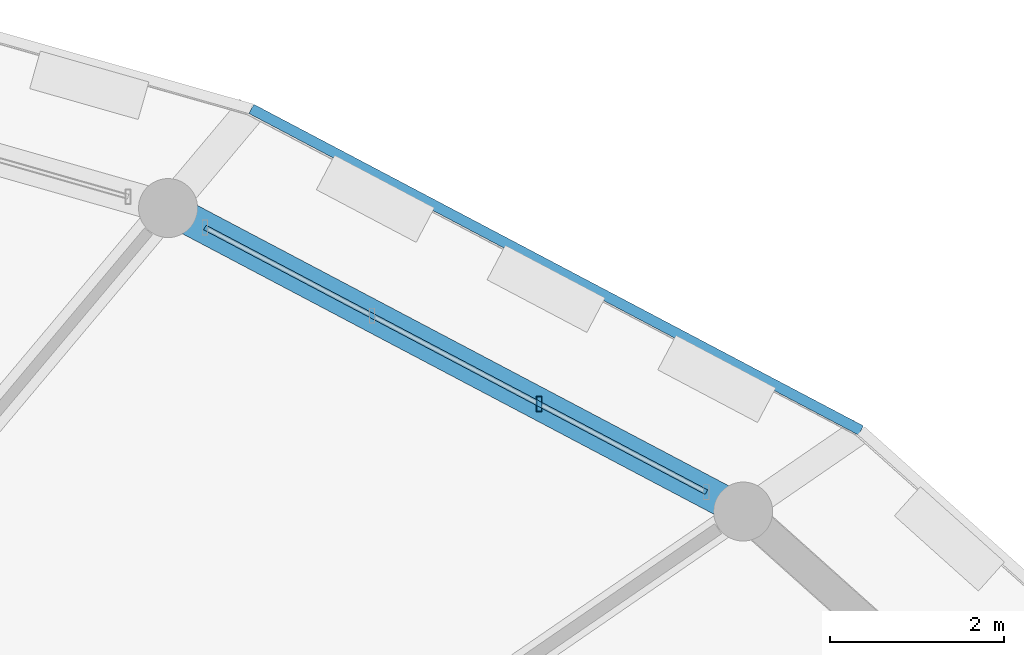
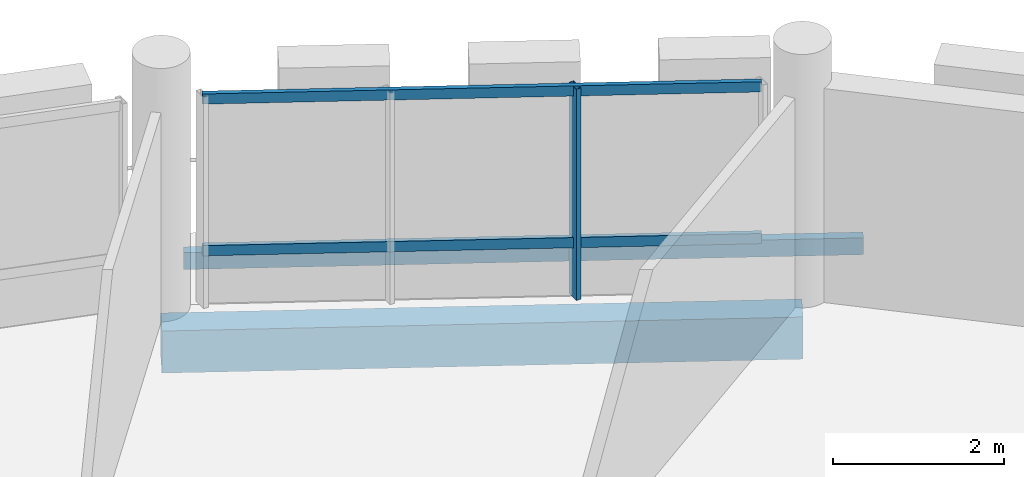
# One storey, part 75 of 128: 3 members, 2 beams, 1 element without a shape of its own.
"""IFC4 building model written with IfcOpenShell, lengths in metres."""

import ifcopenshell
import ifcopenshell.guid

model = None  # the IFC model being written
_history = None  # IfcOwnerHistory: only IFC2X3 demands one
_inside = {}  # id of a spatial element -> (the spatial element, [elements in it])
_under = {}  # id of a project, library or spatial element -> (it, [spatial elements below it])
_declared = {}  # id of a project -> (the project, [libraries it declares])
_typed = {}  # id of a type object -> (the type object, [elements of that type])
_made_of = {}  # id of a material, layer set ... -> (it, [elements and type objects made of it])


def new_model(schema):
    """Start an empty IFC model of exactly this schema.

    Asked for "IFC4X3", IfcOpenShell would pick the latest addendum, in which some entities
    have other attributes; the version numbers below select the first issue.
    IFC2X3 requires an IfcOwnerHistory on every rooted entity: one is made here for all.
    """
    global model, _history
    if schema == "IFC4X3":
        model = ifcopenshell.file(schema_version=(4, 3, 0, 0))
    else:
        model = ifcopenshell.file(schema=schema)
    _inside.clear()
    _under.clear()
    _declared.clear()
    _typed.clear()
    _made_of.clear()
    _history = None
    if model.schema == "IFC2X3":
        org = make("IfcOrganization", Name="unknown")
        user = make(
            "IfcPersonAndOrganization",
            ThePerson=make("IfcPerson", FamilyName="unknown"),
            TheOrganization=org,
        )
        app = make(
            "IfcApplication",
            ApplicationDeveloper=org,
            Version="unknown",
            ApplicationFullName="unknown",
            ApplicationIdentifier="unknown",
        )
        _history = make(
            "IfcOwnerHistory",
            OwningUser=user,
            OwningApplication=app,
            ChangeAction="ADDED",
            CreationDate=0,
        )
    return model


def make(cls, **values):
    """One entity of the class cls with the attributes given. An attribute that is None is left unset."""
    return model.create_entity(
        cls, **{name: value for name, value in values.items() if value is not None}
    )


def rooted(cls, **values):
    """An entity with a GlobalId (a new one), such as an element, a storey or a relation."""
    return make(cls, GlobalId=ifcopenshell.guid.new(), OwnerHistory=_history, **values)


def si_unit(unit_type, name, prefix=None):
    """IfcSIUnit, for example si_unit("LENGTHUNIT", "METRE", prefix="MILLI")."""
    return make("IfcSIUnit", UnitType=unit_type, Prefix=prefix, Name=name)


def assignment(units):
    """IfcUnitAssignment: the units of a project."""
    return None if units is None else make("IfcUnitAssignment", Units=units)


def point(xyz):
    """IfcCartesianPoint."""
    return None if xyz is None else make("IfcCartesianPoint", Coordinates=xyz)


def direction(xyz):
    """IfcDirection."""
    return None if xyz is None else make("IfcDirection", DirectionRatios=xyz)


def frame(location, z_axis=None, x_axis=None):
    """IfcAxis2Placement3D, a coordinate frame: its origin and axes. An axis left out is left unset."""
    return make(
        "IfcAxis2Placement3D",
        Location=point(location),
        Axis=direction(z_axis),
        RefDirection=direction(x_axis),
    )


def frame_2d(location, x_axis=None):
    """IfcAxis2Placement2D, a coordinate frame in the plane: its origin and x axis."""
    return make(
        "IfcAxis2Placement2D", Location=point(location), RefDirection=direction(x_axis)
    )


def origin():
    """The frame at (0, 0, 0) with its axes left unset."""
    return frame((0.0, 0.0, 0.0))


def origin_2d():
    """The frame at (0, 0) in the plane with its x axis left unset."""
    return frame_2d((0.0, 0.0))


def place(relative_to, where):
    """IfcLocalPlacement: puts the frame where relative to a parent placement (None: the world)."""
    return make(
        "IfcLocalPlacement", PlacementRelTo=relative_to, RelativePlacement=where
    )


def context(
    kind, dimensions, precision=None, world=None, true_north=None, identifier=None
):
    """IfcGeometricRepresentationContext, for example the 3D "Model" context."""
    return make(
        "IfcGeometricRepresentationContext",
        ContextIdentifier=identifier,
        ContextType=kind,
        CoordinateSpaceDimension=dimensions,
        Precision=precision,
        WorldCoordinateSystem=world,
        TrueNorth=true_north,
    )


def subcontext(parent, identifier, kind, view, scale=None):
    """IfcGeometricRepresentationSubContext, for example "Body" below "Model"."""
    return make(
        "IfcGeometricRepresentationSubContext",
        ContextIdentifier=identifier,
        ContextType=kind,
        ParentContext=parent,
        TargetScale=scale,
        TargetView=view,
    )


def project(units=None, contexts=None):
    """IfcProject with its units and contexts."""
    return rooted(
        "IfcProject",
        Name="project",
        RepresentationContexts=contexts,
        UnitsInContext=assignment(units),
    )


def spatial(cls, under=None, at=None, **own):
    """A site, building, storey or space (cls), placed at a placement, below another one or the project."""
    s = rooted(cls, ObjectPlacement=at, **own)
    if under is not None:
        _under.setdefault(under.id(), (under, []))[1].append(s)
    return s


def profile(cls, at=None, kind="AREA", **sizes):
    """A parametric profile (cls). Its sizes go by their IFC names, for example OverallWidth=200.0."""
    return make(cls, ProfileType=kind, Position=at, **sizes)


def rectangle(**sizes):
    """IfcRectangleProfileDef."""
    return profile("IfcRectangleProfileDef", **sizes)


def hollow_rectangle(**sizes):
    """IfcRectangleHollowProfileDef."""
    return profile("IfcRectangleHollowProfileDef", **sizes)


def extrude(swept, where, along, depth):
    """IfcExtrudedAreaSolid: the profile swept, set in the frame where, extruded along a direction by depth."""
    return make(
        "IfcExtrudedAreaSolid",
        SweptArea=swept,
        Position=where,
        ExtrudedDirection=direction(along),
        Depth=depth,
    )


def shape(context_of_items, identifier, shape_type, items):
    """IfcShapeRepresentation: the items that make up one representation, for example the "Body"."""
    return make(
        "IfcShapeRepresentation",
        ContextOfItems=context_of_items,
        RepresentationIdentifier=identifier,
        RepresentationType=shape_type,
        Items=items,
    )


def material(Name=None, Category=None):
    """IfcMaterial."""
    return make("IfcMaterial", Name=Name, Category=Category)


def material_profile(
    of_material, cross_section, Name=None, Category=None, Priority=None
):
    """IfcMaterialProfile: a cross section and its material."""
    return make(
        "IfcMaterialProfile",
        Name=Name,
        Material=of_material,
        Profile=cross_section,
        Priority=Priority,
        Category=Category,
    )


def profile_set(profiles, Name=None, composite=None):
    """IfcMaterialProfileSet."""
    return make(
        "IfcMaterialProfileSet",
        Name=Name,
        MaterialProfiles=profiles,
        CompositeProfile=composite,
    )


def made_of(thing, what):
    """Note that an element or type object is made of a material, layer set ...; save() writes the relation."""
    if what is not None:
        _made_of.setdefault(what.id(), (what, []))[1].append(thing)
    return thing


def type_object(cls, material=None, **own):
    """A type object (cls), such as IfcWallType, which elements share."""
    return made_of(rooted(cls, **own), material)


def element(
    cls,
    number,
    at=None,
    inside=None,
    cuts=None,
    type_object=None,
    material=None,
    context=None,
    identifier="Body",
    shape_type=None,
    held_by="IfcProductDefinitionShape",
    body=None,
    shapes=None,
    **own,
):
    """One element of the class cls, such as IfcWall. Its Tag is "e" and its number.

    at: its placement. inside: the storey or other place that contains it. cuts: it is an
    opening in that element (IfcRelVoidsElement). A single representation is given by context,
    identifier, shape_type and body (its items); several are given by shapes. held_by: the class
    of the entity that holds the representations. save() writes the other relations.
    """
    e = rooted(cls, Tag="e%d" % number, ObjectPlacement=at, **own)
    if body is not None:
        shapes = [shape(context, identifier, shape_type, body)]
    if shapes is not None:
        e.Representation = make(held_by, Representations=shapes)
    if inside is not None:
        _inside.setdefault(inside.id(), (inside, []))[1].append(e)
    if cuts is not None:
        rooted(
            "IfcRelVoidsElement", RelatingBuildingElement=cuts, RelatedOpeningElement=e
        )
    if type_object is not None:
        _typed.setdefault(type_object.id(), (type_object, []))[1].append(e)
    return made_of(e, material)


def aggregate(whole, parts):
    """IfcRelAggregates: a whole, such as a stair, and the parts it consists of."""
    return rooted("IfcRelAggregates", RelatingObject=whole, RelatedObjects=parts)


def save(model, path):
    """Write the relations noted so far, then the file.

    IfcRelAggregates (storeys below a building ...), IfcRelContainedInSpatialStructure (elements
    in a storey), IfcRelDefinesByType, IfcRelAssociatesMaterial and IfcRelDeclares: one each for
    every whole, place, type object, material and project.
    """
    for whole, parts in _under.values():
        aggregate(whole, parts)
    for where, things in _inside.values():
        rooted(
            "IfcRelContainedInSpatialStructure",
            RelatedElements=things,
            RelatingStructure=where,
        )
    for kind, things in _typed.values():
        rooted("IfcRelDefinesByType", RelatedObjects=things, RelatingType=kind)
    for what, things in _made_of.values():
        rooted("IfcRelAssociatesMaterial", RelatedObjects=things, RelatingMaterial=what)
    for by, libraries in _declared.values():
        rooted("IfcRelDeclares", RelatingContext=by, RelatedDefinitions=libraries)
    model.write(path)


model = new_model("IFC4")

# Units and contexts
model_context = context("Model", 3, precision=1e-05, world=origin(), true_north=direction((0.0, 1.0)))
body_context = subcontext(model_context, "Body", "Model", "MODEL_VIEW")
ifc_project = project(units=[si_unit("LENGTHUNIT", "METRE"), si_unit("AREAUNIT", "SQUARE_METRE"), si_unit("VOLUMEUNIT", "CUBIC_METRE"), si_unit("PLANEANGLEUNIT", "RADIAN"), si_unit("MASSUNIT", "GRAM", prefix="KILO")], contexts=[model_context])

# Site, building, storey
site_placement = place(None, origin())
site = spatial("IfcSite", under=ifc_project, at=site_placement, CompositionType="ELEMENT")
building_placement = place(site_placement, origin())
building = spatial("IfcBuilding", under=site, at=building_placement, Name="Zornivar Specialist Clinic", CompositionType="ELEMENT")
storey_placement = place(building_placement, frame((0.0, 0.0, 4.5)))
storey = spatial("IfcBuildingStorey", under=building, at=storey_placement, Name="L01", CompositionType="ELEMENT", Elevation=4.5)

# Beams
ifc_material_1 = material(Name="Concrete C30/37", Category="concrete")
ifc_material_profile_1 = material_profile(ifc_material_1, rectangle(XDim=0.3701171875, YDim=0.60009765625, at=origin_2d()), Name="RC 370x600")
ifc_profile_set_1 = profile_set([ifc_material_profile_1], Name="Concrete C30/37")
beam_type_1 = type_object("IfcBeamType", Name="BM-RC-SPANDREL-370x600", PredefinedType="SPANDREL", material=ifc_profile_set_1)
beam_1_placement = place(storey_placement, frame((116.22705078125, 73.156005859375, -0.5400390625), z_axis=(-0.884411650878, 0.466707651311, 0.0), x_axis=(-0.466707651311, -0.884411650878, 0.0)))
element("IfcBeam", 1, at=beam_1_placement, inside=storey, type_object=beam_type_1, Name="bm:V1:L01:outring:03", PredefinedType="SPANDREL", context=body_context, shape_type="SweptSolid", body=[
    extrude(rectangle(XDim=0.3701171875, YDim=0.60009765625, at=origin_2d()), origin(), (0.0, 0.0, 1.0), 7.4931640625),
])
ifc_material_2 = material(Name="Steel S355J2", Category="steel")
ifc_material_profile_2 = material_profile(ifc_material_2, hollow_rectangle(XDim=0.1201171875, YDim=0.239990234375, WallThickness=0.008056640625, at=origin_2d()), Name="RHS 240x120x8")
ifc_profile_set_2 = profile_set([ifc_material_profile_2], Name="Steel S355J2")
beam_type_2 = type_object("IfcBeamType", Name="BM-STL-RHS240", PredefinedType="JOIST", material=ifc_profile_set_2)
beam_2_placement = place(storey_placement, frame((117.5849609375, 74.090087890625, -0.360107421875), z_axis=(-0.884477081674, 0.466583638797, 0.0), x_axis=(-0.466583638797, -0.884477081674, 0.0)))
element("IfcBeam", 2, at=beam_2_placement, inside=storey, type_object=beam_type_2, Name="bm:V1:L01:balring:03", PredefinedType="JOIST", context=body_context, shape_type="SweptSolid", body=[
    extrude(hollow_rectangle(XDim=0.1201171875, YDim=0.239990234375, WallThickness=0.008056640625, at=origin_2d()), origin(), (0.0, 0.0, 1.0), 7.9423828125),
])

# Curtain wall, members
ifc_material_3 = material(Name="Aluminium and Low-E Glass Curtain Wall", Category="aluminium")
curtain_wall_type = type_object("IfcCurtainWallType", Name="CW-DRUM-FACET", PredefinedType="NOTDEFINED", material=ifc_material_3)
curtain_wall_placement = place(storey_placement, origin())
curtain_wall = element("IfcCurtainWall", 3, at=curtain_wall_placement, inside=storey, type_object=curtain_wall_type, Name="cw:V1:L01:c03", PredefinedType="NOTDEFINED")
ifc_material_4 = material(Name="Aluminium AW-6060", Category="aluminium")
ifc_material_profile_3 = material_profile(ifc_material_4, hollow_rectangle(XDim=0.06494140625, YDim=0.175048828125, WallThickness=0.00439453125, at=origin_2d()), Name="ALU 65x175x4.5")
ifc_profile_set_3 = profile_set([ifc_material_profile_3], Name="Aluminium AW-6060")
member_type_1 = type_object("IfcMemberType", Name="CWM-MUL-175", PredefinedType="MULLION", material=ifc_profile_set_3)
member_1_placement = place(storey_placement, frame((113.8759765625, 74.39599609375, 0.0), z_axis=(0.0, 0.0, 1.0), x_axis=(1.0, 0.0, 0.0)))
member_1 = element("IfcMember", 4, at=member_1_placement, type_object=member_type_1, Name="cw:V1:L01:c03:mul:1", PredefinedType="MULLION", context=body_context, shape_type="SweptSolid", body=[
    extrude(hollow_rectangle(XDim=0.06494140625, YDim=0.175048828125, WallThickness=0.00439453125, at=origin_2d()), origin(), (0.0, 0.0, 1.0), 3.010009765625),
])
ifc_material_5 = material(Name="Aluminium AW-6060", Category="aluminium")
ifc_material_profile_4 = material_profile(ifc_material_5, hollow_rectangle(XDim=0.06005859375, YDim=0.14501953125, WallThickness=0.00390625, at=origin_2d()), Name="ALU 60x145x4")
ifc_profile_set_4 = profile_set([ifc_material_profile_4], Name="Aluminium AW-6060")
member_type_2 = type_object("IfcMemberType", Name="CWM-TRN-145", PredefinedType="USERDEFINED", material=ifc_profile_set_4)
member_2_placement = place(storey_placement, frame((115.802978515625, 73.3798828125, 0.782958984375), z_axis=(-0.884446868274, 0.466640908195, 0.0), x_axis=(-0.466640908195, -0.884446868274, 0.0)))
member_2 = element("IfcMember", 5, at=member_2_placement, type_object=member_type_2, Name="cw:V1:L01:c03:trn:0", ObjectType="TRANSOM", PredefinedType="USERDEFINED", context=body_context, shape_type="SweptSolid", body=[
    extrude(hollow_rectangle(XDim=0.06005859375, YDim=0.14501953125, WallThickness=0.00390625, at=origin_2d()), origin(), (0.0, 0.0, 1.0), 6.5341796875),
])
member_3_placement = place(storey_placement, frame((115.802978515625, 73.3798828125, 2.945068359375), z_axis=(-0.884446868274, 0.466640908195, 0.0), x_axis=(-0.466640908195, -0.884446868274, 0.0)))
member_3 = element("IfcMember", 6, at=member_3_placement, type_object=member_type_2, Name="cw:V1:L01:c03:trn:1", ObjectType="TRANSOM", PredefinedType="USERDEFINED", context=body_context, shape_type="SweptSolid", body=[
    extrude(hollow_rectangle(XDim=0.06005859375, YDim=0.14501953125, WallThickness=0.00390625, at=origin_2d()), origin(), (0.0, 0.0, 1.0), 6.5341796875),
])
aggregate(curtain_wall, [member_1, member_2, member_3])

save(model, "model.ifc")
